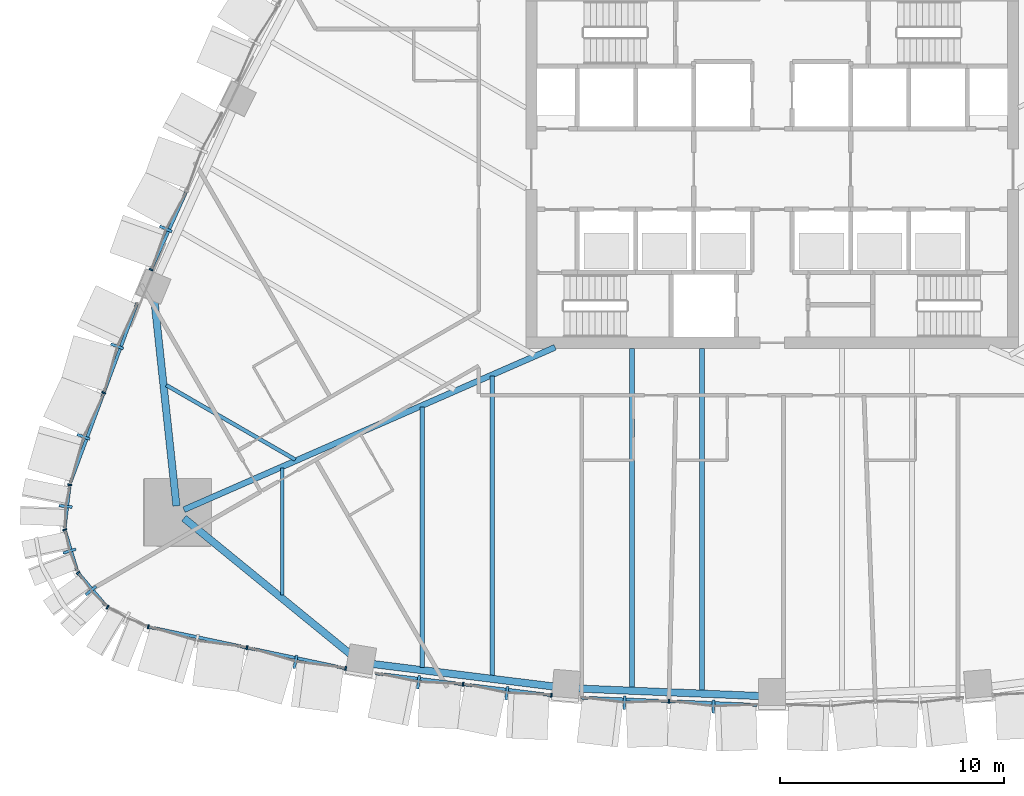
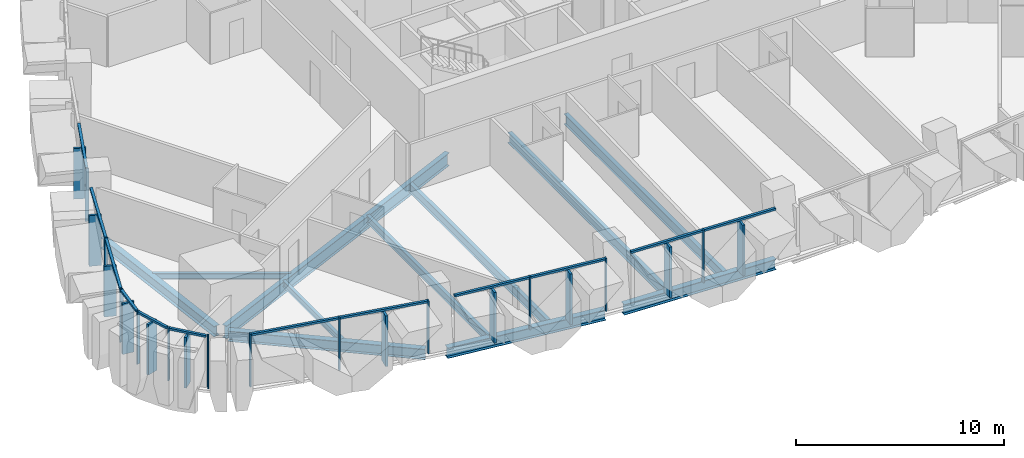
# One storey, part 2 of 23: 35 members, 11 beams, 9 elements without a shape of their own.
"""IFC4 building model written with IfcOpenShell, lengths in metres."""

from ifc_helpers import new_model, si_unit, direction, frame, origin, origin_2d, place, context, subcontext, project, spatial, rectangle, i_section, extrude, material, layer, layer_set, material_profile, profile_set, type_object, element, aggregate, save


model = new_model("IFC4")

# Units and contexts
model_context = context("Model", 3, precision=1e-05, world=origin(), true_north=direction((0.0, 1.0)))
body_context = subcontext(model_context, "Body", "Model", "MODEL_VIEW")
ifc_project = project(units=[si_unit("LENGTHUNIT", "METRE"), si_unit("AREAUNIT", "SQUARE_METRE"), si_unit("VOLUMEUNIT", "CUBIC_METRE"), si_unit("PLANEANGLEUNIT", "RADIAN"), si_unit("MASSUNIT", "GRAM", prefix="KILO")], contexts=[model_context])

# Site, building, storey
site_placement = place(None, origin())
site = spatial("IfcSite", under=ifc_project, at=site_placement, CompositionType="ELEMENT")
building_placement = place(site_placement, origin())
building = spatial("IfcBuilding", under=site, at=building_placement, Name="Sierra Prisma Convention Tower", CompositionType="ELEMENT")
storey_placement = place(building_placement, frame((0.0, 0.0, 70.199951171875)))
storey = spatial("IfcBuildingStorey", under=building, at=storey_placement, Name="L13", CompositionType="ELEMENT", Elevation=70.199951171875)

# Curtain wall, member
ifc_material_1 = material(Name="Aluminium and glass curtain wall", Category="aluminium")
ifc_layer = layer(ifc_material_1, 0.179931640625)
ifc_layer_set = layer_set([ifc_layer], Name="CW-2 Faceted crystal curtain wall")
curtain_wall_type = type_object("IfcCurtainWallType", Name="CW-2 Faceted crystal curtain wall", PredefinedType="NOTDEFINED", material=ifc_layer_set)
curtain_wall_1_placement = place(storey_placement, origin())
curtain_wall_1 = element("IfcCurtainWall", 1, at=curtain_wall_1_placement, inside=storey, type_object=curtain_wall_type, Name="CW-2 S1 L13", PredefinedType="NOTDEFINED")
ifc_material_2 = material(Name="Aluminium 6063-T6 bronze anodised", Category="aluminium")
ifc_material_profile_1 = material_profile(ifc_material_2, rectangle(XDim=0.1201171875, YDim=0.60009765625, at=origin_2d()), Name="ALU RIDGE BLADE 120x600")
ifc_profile_set_1 = profile_set([ifc_material_profile_1], Name="Aluminium 6063-T6 bronze anodised")
member_type_1 = type_object("IfcMemberType", Name="CW hip bronze", PredefinedType="MULLION", material=ifc_profile_set_1)
member_1_placement = place(storey_placement, frame((-21.281494140625, -21.996826171875, 0.0), z_axis=(0.0, 0.0, 1.0), x_axis=(0.978513494972, -0.20618278337, 0.0)))
member_1 = element("IfcMember", 2, at=member_1_placement, type_object=member_type_1, Name="CW-2 ridge S1.2", PredefinedType="MULLION", context=body_context, shape_type="SweptSolid", body=[
    extrude(rectangle(XDim=0.1201171875, YDim=0.60009765625, at=origin_2d()), origin(), (0.0, 0.0, 1.0), 2.97998046875),
])

# Curtain wall, members
curtain_wall_2_placement = place(storey_placement, origin())
curtain_wall_2 = element("IfcCurtainWall", 3, at=curtain_wall_2_placement, inside=storey, type_object=curtain_wall_type, Name="CW-2 S2 L13", PredefinedType="NOTDEFINED")
member_2_placement = place(storey_placement, frame((-15.7900390625, -22.906005859375, 0.0), z_axis=(0.0, 0.0, 1.0), x_axis=(0.992418741832, -0.122902566531, 0.0)))
member_2 = element("IfcMember", 4, at=member_2_placement, type_object=member_type_1, Name="CW-2 ridge S2.1", PredefinedType="MULLION", context=body_context, shape_type="SweptSolid", body=[
    extrude(rectangle(XDim=0.1201171875, YDim=0.60009765625, at=origin_2d()), origin(), (0.0, 0.0, 1.0), 2.97998046875),
])
member_3_placement = place(storey_placement, frame((-11.845703125, -23.39453125, 0.0), z_axis=(0.0, 0.0, 1.0), x_axis=(0.992418741832, -0.122902566531, 0.0)))
member_3 = element("IfcMember", 5, at=member_3_placement, type_object=member_type_1, Name="CW-2 ridge S2.2", PredefinedType="MULLION", context=body_context, shape_type="SweptSolid", body=[
    extrude(rectangle(XDim=0.1201171875, YDim=0.60009765625, at=origin_2d()), origin(), (0.0, 0.0, 1.0), 2.97998046875),
])

curtain_wall_3_placement = place(storey_placement, origin())
curtain_wall_3 = element("IfcCurtainWall", 6, at=curtain_wall_3_placement, inside=storey, type_object=curtain_wall_type, Name="CW-2 S3 L13", PredefinedType="NOTDEFINED")
member_4_placement = place(storey_placement, frame((-6.59423828125, -23.827392578125, 0.0), z_axis=(0.0, 0.0, 1.0), x_axis=(0.999158035342, -0.041027069244, 0.0)))
member_4 = element("IfcMember", 7, at=member_4_placement, type_object=member_type_1, Name="CW-2 ridge S3.1", PredefinedType="MULLION", context=body_context, shape_type="SweptSolid", body=[
    extrude(rectangle(XDim=0.1201171875, YDim=0.60009765625, at=origin_2d()), origin(), (0.0, 0.0, 1.0), 2.97998046875),
])
member_5_placement = place(storey_placement, frame((-2.625244140625, -23.990478515625, 0.0), z_axis=(0.0, 0.0, 1.0), x_axis=(0.999158035342, -0.041027069244, 0.0)))
member_5 = element("IfcMember", 8, at=member_5_placement, type_object=member_type_1, Name="CW-2 ridge S3.2", PredefinedType="MULLION", context=body_context, shape_type="SweptSolid", body=[
    extrude(rectangle(XDim=0.1201171875, YDim=0.60009765625, at=origin_2d()), origin(), (0.0, 0.0, 1.0), 2.97998046875),
])

# Curtain wall, member
curtain_wall_4_placement = place(storey_placement, origin())
curtain_wall_4 = element("IfcCurtainWall", 9, at=curtain_wall_4_placement, inside=storey, type_object=curtain_wall_type, Name="CW-2 NW5 L13", PredefinedType="NOTDEFINED")
member_6_placement = place(storey_placement, frame((-27.072265625, -2.6669921875, 0.0), z_axis=(0.0, 0.0, 1.0), x_axis=(-0.410184231176, -0.912002684478, 0.0)))
member_6 = element("IfcMember", 10, at=member_6_placement, type_object=member_type_1, Name="CW-2 ridge NW5.2", PredefinedType="MULLION", context=body_context, shape_type="SweptSolid", body=[
    extrude(rectangle(XDim=0.1201171875, YDim=0.60009765625, at=origin_2d()), origin(), (0.0, 0.0, 1.0), 2.97998046875),
])

# Curtain wall, members
curtain_wall_5_placement = place(storey_placement, origin())
curtain_wall_5 = element("IfcCurtainWall", 11, at=curtain_wall_5_placement, inside=storey, type_object=curtain_wall_type, Name="CW-2 NW6 L13", PredefinedType="NOTDEFINED")
member_7_placement = place(storey_placement, frame((-29.24560546875, -7.90869140625, 0.0), z_axis=(0.0, 0.0, 1.0), x_axis=(-0.348650145071, -0.937252941496, 0.0)))
member_7 = element("IfcMember", 12, at=member_7_placement, type_object=member_type_1, Name="CW-2 ridge NW6.1", PredefinedType="MULLION", context=body_context, shape_type="SweptSolid", body=[
    extrude(rectangle(XDim=0.1201171875, YDim=0.60009765625, at=origin_2d()), origin(), (0.0, 0.0, 1.0), 2.97998046875),
])
member_8_placement = place(storey_placement, frame((-30.748779296875, -11.948974609375, 0.0), z_axis=(0.0, 0.0, 1.0), x_axis=(-0.348650145071, -0.937252941496, 0.0)))
member_8 = element("IfcMember", 13, at=member_8_placement, type_object=member_type_1, Name="CW-2 ridge NW6.2", PredefinedType="MULLION", context=body_context, shape_type="SweptSolid", body=[
    extrude(rectangle(XDim=0.1201171875, YDim=0.60009765625, at=origin_2d()), origin(), (0.0, 0.0, 1.0), 2.97998046875),
])

# Curtain wall, member
curtain_wall_6_placement = place(storey_placement, origin())
curtain_wall_6 = element("IfcCurtainWall", 14, at=curtain_wall_6_placement, inside=storey, type_object=curtain_wall_type, Name="CW-2 SW1 L13", PredefinedType="NOTDEFINED")
member_9_placement = place(storey_placement, frame((-31.5478515625, -15.053955078125, 0.0), z_axis=(0.0, 0.0, 1.0), x_axis=(-0.11726348424, -0.993100838417, 0.0)))
member_9 = element("IfcMember", 15, at=member_9_placement, type_object=member_type_1, Name="CW-2 ridge SW1.1", PredefinedType="MULLION", context=body_context, shape_type="SweptSolid", body=[
    extrude(rectangle(XDim=0.1201171875, YDim=0.60009765625, at=origin_2d()), origin(), (0.0, 0.0, 1.0), 2.97998046875),
])

curtain_wall_7_placement = place(storey_placement, origin())
curtain_wall_7 = element("IfcCurtainWall", 16, at=curtain_wall_7_placement, inside=storey, type_object=curtain_wall_type, Name="CW-2 SW2 L13", PredefinedType="NOTDEFINED")
member_10_placement = place(storey_placement, frame((-31.371826171875, -17.052490234375, 0.0), z_axis=(0.0, 0.0, 1.0), x_axis=(0.288953669799, -0.957343082029, 0.0)))
member_10 = element("IfcMember", 17, at=member_10_placement, type_object=member_type_1, Name="CW-2 ridge SW2.1", PredefinedType="MULLION", context=body_context, shape_type="SweptSolid", body=[
    extrude(rectangle(XDim=0.1201171875, YDim=0.60009765625, at=origin_2d()), origin(), (0.0, 0.0, 1.0), 2.97998046875),
])

curtain_wall_8_placement = place(storey_placement, origin())
curtain_wall_8 = element("IfcCurtainWall", 18, at=curtain_wall_8_placement, inside=storey, type_object=curtain_wall_type, Name="CW-2 SW3 L13", PredefinedType="NOTDEFINED")
member_11_placement = place(storey_placement, frame((-30.41259765625, -18.814697265625, 0.0), z_axis=(0.0, 0.0, 1.0), x_axis=(0.647120431061, -0.762387793517, 0.0)))
member_11 = element("IfcMember", 19, at=member_11_placement, type_object=member_type_1, Name="CW-2 ridge SW3.1", PredefinedType="MULLION", context=body_context, shape_type="SweptSolid", body=[
    extrude(rectangle(XDim=0.1201171875, YDim=0.60009765625, at=origin_2d()), origin(), (0.0, 0.0, 1.0), 2.97998046875),
])

# Member
ifc_material_3 = material(Name="Aluminium 6063-T6 bronze anodised", Category="aluminium")
ifc_material_profile_2 = material_profile(ifc_material_3, rectangle(XDim=0.179931640625, YDim=0.070068359375, at=origin_2d()), Name="ALU MULLION 70x180")
ifc_profile_set_2 = profile_set([ifc_material_profile_2], Name="Aluminium 6063-T6 bronze anodised")
member_type_2 = type_object("IfcMemberType", Name="CW mullion bronze", PredefinedType="MULLION", material=ifc_profile_set_2)
member_12_placement = place(storey_placement, frame((-27.85693359375, -20.43310546875, 0.0), z_axis=(0.0, 0.0, 1.0), x_axis=(0.20618278337, 0.978513494972, 0.0)))
member_12 = element("IfcMember", 20, at=member_12_placement, type_object=member_type_2, Name="CW-1 mullion S1.1", PredefinedType="MULLION", context=body_context, shape_type="SweptSolid", body=[
    extrude(rectangle(XDim=0.179931640625, YDim=0.070068359375, at=origin_2d()), origin(), (0.0, 0.0, 1.0), 3.10009765625),
])

member_13_placement = place(storey_placement, frame((-23.449462890625, -21.36181640625, 0.0), z_axis=(0.0, 0.0, 1.0), x_axis=(0.20618278337, 0.978513494972, 0.0)))
member_13 = element("IfcMember", 21, at=member_13_placement, type_object=member_type_2, Name="CW-1 mullion S1.2", PredefinedType="MULLION", context=body_context, shape_type="SweptSolid", body=[
    extrude(rectangle(XDim=0.179931640625, YDim=0.070068359375, at=origin_2d()), origin(), (0.0, 0.0, 1.0), 3.10009765625),
])

member_14_placement = place(storey_placement, frame((-19.041748046875, -22.29052734375, 0.0), z_axis=(0.0, 0.0, 1.0), x_axis=(0.20618278337, 0.978513494972, 0.0)))
member_14 = element("IfcMember", 22, at=member_14_placement, type_object=member_type_2, Name="CW-1 mullion S1.3", PredefinedType="MULLION", context=body_context, shape_type="SweptSolid", body=[
    extrude(rectangle(XDim=0.179931640625, YDim=0.070068359375, at=origin_2d()), origin(), (0.0, 0.0, 1.0), 3.10009765625),
])

member_15_placement = place(storey_placement, frame((-13.799072265625, -22.997802734375, 0.0), z_axis=(0.0, 0.0, 1.0), x_axis=(0.122902566531, 0.992418741832, 0.0)))
member_15 = element("IfcMember", 23, at=member_15_placement, type_object=member_type_2, Name="CW-1 mullion S2.2", PredefinedType="MULLION", context=body_context, shape_type="SweptSolid", body=[
    extrude(rectangle(XDim=0.179931640625, YDim=0.070068359375, at=origin_2d()), origin(), (0.0, 0.0, 1.0), 3.10009765625),
])

member_16_placement = place(storey_placement, frame((-9.854736328125, -23.486328125, 0.0), z_axis=(0.0, 0.0, 1.0), x_axis=(0.122902566531, 0.992418741832, 0.0)))
member_16 = element("IfcMember", 24, at=member_16_placement, type_object=member_type_2, Name="CW-1 mullion S2.3", PredefinedType="MULLION", context=body_context, shape_type="SweptSolid", body=[
    extrude(rectangle(XDim=0.179931640625, YDim=0.070068359375, at=origin_2d()), origin(), (0.0, 0.0, 1.0), 3.10009765625),
])

member_17_placement = place(storey_placement, frame((-4.603515625, -23.755615234375, 0.0), z_axis=(0.0, 0.0, 1.0), x_axis=(0.041027069244, 0.999158035342, 0.0)))
member_17 = element("IfcMember", 25, at=member_17_placement, type_object=member_type_2, Name="CW-1 mullion S3.2", PredefinedType="MULLION", context=body_context, shape_type="SweptSolid", body=[
    extrude(rectangle(XDim=0.179931640625, YDim=0.070068359375, at=origin_2d()), origin(), (0.0, 0.0, 1.0), 3.10009765625),
])

member_18_placement = place(storey_placement, frame((-27.726806640625, -4.485595703125, 0.0), z_axis=(0.0, 0.0, 1.0), x_axis=(0.912002684478, -0.410184231176, 0.0)))
member_18 = element("IfcMember", 26, at=member_18_placement, type_object=member_type_2, Name="CW-1 mullion NW5.3", PredefinedType="MULLION", context=body_context, shape_type="SweptSolid", body=[
    extrude(rectangle(XDim=0.179931640625, YDim=0.070068359375, at=origin_2d()), origin(), (0.0, 0.0, 1.0), 3.10009765625),
])

member_19_placement = place(storey_placement, frame((-29.8408203125, -9.987060546875, 0.0), z_axis=(0.0, 0.0, 1.0), x_axis=(0.937252941496, -0.348650145071, 0.0)))
member_19 = element("IfcMember", 27, at=member_19_placement, type_object=member_type_2, Name="CW-1 mullion NW6.2", PredefinedType="MULLION", context=body_context, shape_type="SweptSolid", body=[
    extrude(rectangle(XDim=0.179931640625, YDim=0.070068359375, at=origin_2d()), origin(), (0.0, 0.0, 1.0), 3.10009765625),
])

member_20_placement = place(storey_placement, frame((-31.360107421875, -14.09521484375, 0.0), z_axis=(0.0, 0.0, 1.0), x_axis=(0.993100838417, -0.11726348424, 0.0)))
member_20 = element("IfcMember", 28, at=member_20_placement, type_object=member_type_2, Name="CW-1 mullion SW1.1", PredefinedType="MULLION", context=body_context, shape_type="SweptSolid", body=[
    extrude(rectangle(XDim=0.179931640625, YDim=0.070068359375, at=origin_2d()), origin(), (0.0, 0.0, 1.0), 3.10009765625),
])

member_21_placement = place(storey_placement, frame((-31.58251953125, -16.098388671875, 0.0), z_axis=(0.0, 0.0, 1.0), x_axis=(0.957343082029, 0.288953669799, 0.0)))
member_21 = element("IfcMember", 29, at=member_21_placement, type_object=member_type_2, Name="CW-1 mullion SW2.1", PredefinedType="MULLION", context=body_context, shape_type="SweptSolid", body=[
    extrude(rectangle(XDim=0.179931640625, YDim=0.070068359375, at=origin_2d()), origin(), (0.0, 0.0, 1.0), 3.10009765625),
])

member_22_placement = place(storey_placement, frame((-30.98681640625, -18.024169921875, 0.0), z_axis=(0.0, 0.0, 1.0), x_axis=(0.762387793517, 0.647120431061, 0.0)))
member_22 = element("IfcMember", 30, at=member_22_placement, type_object=member_type_2, Name="CW-1 mullion SW3.1", PredefinedType="MULLION", context=body_context, shape_type="SweptSolid", body=[
    extrude(rectangle(XDim=0.179931640625, YDim=0.070068359375, at=origin_2d()), origin(), (0.0, 0.0, 1.0), 3.10009765625),
])

# Curtain wall, member
curtain_wall_9_placement = place(storey_placement, origin())
curtain_wall_9 = element("IfcCurtainWall", 31, at=curtain_wall_9_placement, inside=storey, type_object=curtain_wall_type, Name="CW-2 SW4 L13", PredefinedType="NOTDEFINED")
member_23_placement = place(storey_placement, frame((-29.671875, -19.5517578125, 0.0), z_axis=(0.0, 0.0, 1.0), x_axis=(0.440654281471, 0.897676892997, 0.0)))
member_23 = element("IfcMember", 32, at=member_23_placement, type_object=member_type_2, Name="CW-1 mullion SW4.1", PredefinedType="MULLION", context=body_context, shape_type="SweptSolid", body=[
    extrude(rectangle(XDim=0.179931640625, YDim=0.070068359375, at=origin_2d()), origin(), (0.0, 0.0, 1.0), 3.10009765625),
])
aggregate(curtain_wall_9, [member_23])

# Member
ifc_material_4 = material(Name="Aluminium 6063-T6 bronze anodised", Category="aluminium")
ifc_material_profile_3 = material_profile(ifc_material_4, rectangle(XDim=0.139892578125, YDim=0.1201171875, at=origin_2d()), Name="ALU TRANSOM 120x140")
ifc_profile_set_3 = profile_set([ifc_material_profile_3], Name="Aluminium 6063-T6 bronze anodised")
member_type_3 = type_object("IfcMemberType", Name="CW transom bronze", PredefinedType="USERDEFINED", material=ifc_profile_set_3)
member_24_placement = place(storey_placement, frame((-27.82275390625, -20.440185546875, 3.0400390625), z_axis=(0.978512967914, -0.206185284692, 0.0), x_axis=(0.206185284692, 0.978512967914, 0.0)))
member_24 = element("IfcMember", 33, at=member_24_placement, type_object=member_type_3, Name="CW-1 transom S1.1", ObjectType="TRANSOM", PredefinedType="USERDEFINED", context=body_context, shape_type="SweptSolid", body=[
    extrude(rectangle(XDim=0.139892578125, YDim=0.1201171875, at=origin_2d()), origin(), (0.0, 0.0, 1.0), 4.434326171875),
])

member_25_placement = place(storey_placement, frame((-23.4150390625, -21.368896484375, 3.0400390625), z_axis=(0.978512967914, -0.206185284692, 0.0), x_axis=(0.206185284692, 0.978512967914, 0.0)))
member_25 = element("IfcMember", 34, at=member_25_placement, type_object=member_type_3, Name="CW-1 transom S1.2", ObjectType="TRANSOM", PredefinedType="USERDEFINED", context=body_context, shape_type="SweptSolid", body=[
    extrude(rectangle(XDim=0.139892578125, YDim=0.1201171875, at=origin_2d()), origin(), (0.0, 0.0, 1.0), 4.434326171875),
])

aggregate(curtain_wall_1, [member_12, member_13, member_14, member_24, member_25, member_1])

member_26_placement = place(storey_placement, frame((-17.70849609375, -22.513671875, 3.0400390625), z_axis=(0.992422459505, -0.122872543187, 0.0), x_axis=(0.122872543187, 0.992422459505, 0.0)))
member_26 = element("IfcMember", 35, at=member_26_placement, type_object=member_type_3, Name="CW-1 transom S2.1", ObjectType="TRANSOM", PredefinedType="USERDEFINED", context=body_context, shape_type="SweptSolid", body=[
    extrude(rectangle(XDim=0.139892578125, YDim=0.1201171875, at=origin_2d()), origin(), (0.0, 0.0, 1.0), 3.904296875),
])

member_27_placement = place(storey_placement, frame((-13.76416015625, -23.002197265625, 3.0400390625), z_axis=(0.992421515352, -0.122880168725, 0.0), x_axis=(0.122880168725, 0.992421515352, 0.0)))
member_27 = element("IfcMember", 36, at=member_27_placement, type_object=member_type_3, Name="CW-1 transom S2.2", ObjectType="TRANSOM", PredefinedType="USERDEFINED", context=body_context, shape_type="SweptSolid", body=[
    extrude(rectangle(XDim=0.139892578125, YDim=0.1201171875, at=origin_2d()), origin(), (0.0, 0.0, 1.0), 3.904052734375),
])

aggregate(curtain_wall_2, [member_15, member_16, member_26, member_2, member_27, member_3])

member_28_placement = place(storey_placement, frame((-8.537353515625, -23.593994140625, 3.0400390625), z_axis=(0.999157405384, -0.041042408136, 0.0), x_axis=(0.041042408136, 0.999157405384, 0.0)))
member_28 = element("IfcMember", 37, at=member_28_placement, type_object=member_type_3, Name="CW-1 transom S3.1", ObjectType="TRANSOM", PredefinedType="USERDEFINED", context=body_context, shape_type="SweptSolid", body=[
    extrude(rectangle(XDim=0.139892578125, YDim=0.1201171875, at=origin_2d()), origin(), (0.0, 0.0, 1.0), 3.902099609375),
])

member_29_placement = place(storey_placement, frame((-4.568359375, -23.757080078125, 3.0400390625), z_axis=(0.999159969079, -0.040979948638, 0.0), x_axis=(0.040979948638, 0.999159969079, 0.0)))
member_29 = element("IfcMember", 38, at=member_29_placement, type_object=member_type_3, Name="CW-1 transom S3.2", ObjectType="TRANSOM", PredefinedType="USERDEFINED", context=body_context, shape_type="SweptSolid", body=[
    extrude(rectangle(XDim=0.139892578125, YDim=0.1201171875, at=origin_2d()), origin(), (0.0, 0.0, 1.0), 3.902099609375),
])

aggregate(curtain_wall_3, [member_17, member_28, member_4, member_29, member_5])

member_30_placement = place(storey_placement, frame((-26.160400390625, -1.002685546875, 3.0400390625), z_axis=(-0.410217121395, -0.911987890991, 0.0), x_axis=(0.911987890991, -0.410217121395, 0.0)))
member_30 = element("IfcMember", 39, at=member_30_placement, type_object=member_type_3, Name="CW-1 transom NW5.2", ObjectType="TRANSOM", PredefinedType="USERDEFINED", context=body_context, shape_type="SweptSolid", body=[
    extrude(rectangle(XDim=0.139892578125, YDim=0.1201171875, at=origin_2d()), origin(), (0.0, 0.0, 1.0), 3.783935546875),
])

aggregate(curtain_wall_4, [member_18, member_30, member_6])

member_31_placement = place(storey_placement, frame((-28.349853515625, -5.979248046875, 3.0400390625), z_axis=(-0.348680793965, -0.937241539796, 0.0), x_axis=(0.937241539796, -0.348680793965, 0.0)))
member_31 = element("IfcMember", 40, at=member_31_placement, type_object=member_type_3, Name="CW-1 transom NW6.1", ObjectType="TRANSOM", PredefinedType="USERDEFINED", context=body_context, shape_type="SweptSolid", body=[
    extrude(rectangle(XDim=0.139892578125, YDim=0.1201171875, at=origin_2d()), origin(), (0.0, 0.0, 1.0), 4.240966796875),
])

member_32_placement = place(storey_placement, frame((-29.85302734375, -10.019775390625, 3.0400390625), z_axis=(-0.348630224707, -0.937260351461, 0.0), x_axis=(0.937260351461, -0.348630224707, 0.0)))
member_32 = element("IfcMember", 41, at=member_32_placement, type_object=member_type_3, Name="CW-1 transom NW6.2", ObjectType="TRANSOM", PredefinedType="USERDEFINED", context=body_context, shape_type="SweptSolid", body=[
    extrude(rectangle(XDim=0.139892578125, YDim=0.1201171875, at=origin_2d()), origin(), (0.0, 0.0, 1.0), 4.240966796875),
])

aggregate(curtain_wall_5, [member_19, member_31, member_7, member_32, member_8])

member_33_placement = place(storey_placement, frame((-31.3642578125, -14.1298828125, 3.0400390625), z_axis=(-0.117233367809, -0.993104394045, 0.0), x_axis=(0.993104394045, -0.117233367809, 0.0)))
member_33 = element("IfcMember", 42, at=member_33_placement, type_object=member_type_3, Name="CW-1 transom SW1.1", ObjectType="TRANSOM", PredefinedType="USERDEFINED", context=body_context, shape_type="SweptSolid", body=[
    extrude(rectangle(XDim=0.139892578125, YDim=0.1201171875, at=origin_2d()), origin(), (0.0, 0.0, 1.0), 1.87841796875),
])

aggregate(curtain_wall_6, [member_20, member_33, member_9])

member_34_placement = place(storey_placement, frame((-31.572509765625, -16.132080078125, 3.0400390625), z_axis=(0.288921436027, -0.957352810516, 0.0), x_axis=(0.957352810516, 0.288921436027, 0.0)))
member_34 = element("IfcMember", 43, at=member_34_placement, type_object=member_type_3, Name="CW-1 transom SW2.1", ObjectType="TRANSOM", PredefinedType="USERDEFINED", context=body_context, shape_type="SweptSolid", body=[
    extrude(rectangle(XDim=0.139892578125, YDim=0.1201171875, at=origin_2d()), origin(), (0.0, 0.0, 1.0), 1.87841796875),
])

aggregate(curtain_wall_7, [member_21, member_34, member_10])

member_35_placement = place(storey_placement, frame((-30.964111328125, -18.05078125, 3.0400390625), z_axis=(0.647112541311, -0.762394490325, 0.0), x_axis=(0.762394490325, 0.647112541311, 0.0)))
member_35 = element("IfcMember", 44, at=member_35_placement, type_object=member_type_3, Name="CW-1 transom SW3.1", ObjectType="TRANSOM", PredefinedType="USERDEFINED", context=body_context, shape_type="SweptSolid", body=[
    extrude(rectangle(XDim=0.139892578125, YDim=0.1201171875, at=origin_2d()), origin(), (0.0, 0.0, 1.0), 1.87841796875),
])

aggregate(curtain_wall_8, [member_22, member_35, member_11])

# Beams
ifc_material_5 = material(Name="Steel ASTM A992 Gr 50", Category="steel")
ifc_material_profile_4 = material_profile(ifc_material_5, i_section(OverallWidth=0.172119140625, OverallDepth=0.35791015625, WebThickness=0.0078125, FlangeThickness=0.01318359375, at=origin_2d()), Name="W360x57")
ifc_profile_set_4 = profile_set([ifc_material_profile_4], Name="Steel ASTM A992 Gr 50")
beam_type_1 = type_object("IfcBeamType", Name="Floor joist W360x57", PredefinedType="JOIST", material=ifc_profile_set_4)
beam_1_placement = place(storey_placement, frame((-21.875244140625, -19.00537109375, -0.328857421875), z_axis=(0.0, 1.0, 0.0), x_axis=(-1.0, 0.0, 0.0)))
element("IfcBeam", 45, at=beam_1_placement, inside=storey, type_object=beam_type_1, Name="Floor joist L13 S02", PredefinedType="JOIST", context=body_context, shape_type="SweptSolid", body=[
    extrude(i_section(OverallWidth=0.172119140625, OverallDepth=0.35791015625, WebThickness=0.0078125, FlangeThickness=0.01318359375, at=origin_2d()), origin(), (0.0, 0.0, 1.0), 5.662841796875),
])
beam_2_placement = place(storey_placement, frame((-27.05078125, -9.641357421875, -0.328857421875), z_axis=(0.866020043079, -0.5000092849, 0.0), x_axis=(0.5000092849, 0.866020043079, 0.0)))
element("IfcBeam", 46, at=beam_2_placement, inside=storey, type_object=beam_type_1, Name="Floor joist L13 NW16", PredefinedType="JOIST", context=body_context, shape_type="SweptSolid", body=[
    extrude(i_section(OverallWidth=0.172119140625, OverallDepth=0.35791015625, WebThickness=0.0078125, FlangeThickness=0.01318359375, at=origin_2d()), origin(), (0.0, 0.0, 1.0), 6.655517578125),
])
ifc_material_6 = material(Name="Steel ASTM A992 Gr 50", Category="steel")
ifc_material_profile_5 = material_profile(ifc_material_6, i_section(OverallWidth=0.18994140625, OverallDepth=0.45703125, WebThickness=0.009033203125, FlangeThickness=0.014404296875, at=origin_2d()), Name="W460x74")
ifc_profile_set_5 = profile_set([ifc_material_profile_5], Name="Steel ASTM A992 Gr 50")
beam_type_2 = type_object("IfcBeamType", Name="Floor joist W460x74", PredefinedType="JOIST", material=ifc_profile_set_5)
beam_3_placement = place(storey_placement, frame((-15.625244140625, -22.253662109375, -0.37841796875), z_axis=(0.0, 1.0, 0.0), x_axis=(-1.0, 0.0, 0.0)))
element("IfcBeam", 47, at=beam_3_placement, inside=storey, type_object=beam_type_2, Name="Floor joist L13 S04", PredefinedType="JOIST", context=body_context, shape_type="SweptSolid", body=[
    extrude(i_section(OverallWidth=0.18994140625, OverallDepth=0.45703125, WebThickness=0.009033203125, FlangeThickness=0.014404296875, at=origin_2d()), origin(), (0.0, 0.0, 1.0), 11.646484375),
])
ifc_material_7 = material(Name="Steel ASTM A992 Gr 50", Category="steel")
ifc_material_profile_6 = material_profile(ifc_material_7, i_section(OverallWidth=0.208984375, OverallDepth=0.532958984375, WebThickness=0.01025390625, FlangeThickness=0.015625, at=origin_2d()), Name="W530x92")
ifc_profile_set_6 = profile_set([ifc_material_profile_6], Name="Steel ASTM A992 Gr 50")
beam_type_3 = type_object("IfcBeamType", Name="Floor joist W530x92", PredefinedType="JOIST", material=ifc_profile_set_6)
beam_4_placement = place(storey_placement, frame((-12.5, -22.64208984375, -0.41650390625), z_axis=(0.0, 1.0, 0.0), x_axis=(-1.0, 0.0, 0.0)))
element("IfcBeam", 48, at=beam_4_placement, inside=storey, type_object=beam_type_3, Name="Floor joist L13 S05", PredefinedType="JOIST", context=body_context, shape_type="SweptSolid", body=[
    extrude(i_section(OverallWidth=0.208984375, OverallDepth=0.532958984375, WebThickness=0.01025390625, FlangeThickness=0.015625, at=origin_2d()), origin(), (0.0, 0.0, 1.0), 13.402587890625),
])
ifc_material_8 = material(Name="Steel ASTM A992 Gr 50", Category="steel")
ifc_material_profile_7 = material_profile(ifc_material_8, i_section(OverallWidth=0.22802734375, OverallDepth=0.60302734375, WebThickness=0.010498046875, FlangeThickness=0.014892578125, at=origin_2d()), Name="W610x101")
ifc_profile_set_7 = profile_set([ifc_material_profile_7], Name="Steel ASTM A992 Gr 50")
beam_type_4 = type_object("IfcBeamType", Name="Floor joist W610x101", PredefinedType="JOIST", material=ifc_profile_set_7)
beam_5_placement = place(storey_placement, frame((-6.25, -23.17431640625, -0.451416015625), z_axis=(0.0, 1.0, 0.0), x_axis=(-1.0, 0.0, 0.0)))
element("IfcBeam", 49, at=beam_5_placement, inside=storey, type_object=beam_type_4, Name="Floor joist L13 S07", PredefinedType="JOIST", context=body_context, shape_type="SweptSolid", body=[
    extrude(i_section(OverallWidth=0.22802734375, OverallDepth=0.60302734375, WebThickness=0.010498046875, FlangeThickness=0.014892578125, at=origin_2d()), origin(), (0.0, 0.0, 1.0), 15.17431640625),
])
beam_6_placement = place(storey_placement, frame((-3.125, -23.30322265625, -0.451416015625), z_axis=(0.0, 1.0, 0.0), x_axis=(-1.0, 0.0, 0.0)))
element("IfcBeam", 50, at=beam_6_placement, inside=storey, type_object=beam_type_4, Name="Floor joist L13 S08", PredefinedType="JOIST", context=body_context, shape_type="SweptSolid", body=[
    extrude(i_section(OverallWidth=0.22802734375, OverallDepth=0.60302734375, WebThickness=0.010498046875, FlangeThickness=0.014892578125, at=origin_2d()), origin(), (0.0, 0.0, 1.0), 15.30322265625),
])
ifc_material_9 = material(Name="Steel ASTM A992 Gr 50", Category="steel")
ifc_material_profile_8 = material_profile(ifc_material_9, i_section(OverallWidth=0.264892578125, OverallDepth=0.7529296875, WebThickness=0.01318359375, FlangeThickness=0.01708984375, at=origin_2d()), Name="W760x147")
ifc_profile_set_8 = profile_set([ifc_material_profile_8], Name="Steel ASTM A992 Gr 50")
beam_type_5 = type_object("IfcBeamType", Name="Radial girder W760x147", PredefinedType="BEAM", material=ifc_profile_set_8)
beam_7_placement = place(storey_placement, frame((-26.2626953125, -15.20458984375, -0.5263671875), z_axis=(0.916112416701, 0.400921488531, 0.0), x_axis=(-0.400921488531, 0.916112416701, 0.0)))
element("IfcBeam", 51, at=beam_7_placement, inside=storey, type_object=beam_type_5, Name="Radial girder L13 SW", PredefinedType="BEAM", context=body_context, shape_type="SweptSolid", body=[
    extrude(i_section(OverallWidth=0.264892578125, OverallDepth=0.7529296875, WebThickness=0.01318359375, FlangeThickness=0.01708984375, at=origin_2d()), origin(), (0.0, 0.0, 1.0), 18.090087890625),
])
ifc_material_10 = material(Name="Steel ASTM A992 Gr 50", Category="steel")
ifc_material_profile_9 = material_profile(ifc_material_10, i_section(OverallWidth=0.324951171875, OverallDepth=0.615966796875, WebThickness=0.013916015625, FlangeThickness=0.021484375, at=origin_2d()), Name="W610x174")
ifc_profile_set_9 = profile_set([ifc_material_profile_9], Name="Steel ASTM A992 Gr 50")
beam_type_6 = type_object("IfcBeamType", Name="Spandrel beam W610x174", PredefinedType="BEAM", material=ifc_profile_set_9)
beam_8_placement = place(storey_placement, frame((-26.2626953125, -15.5810546875, -0.4580078125), z_axis=(0.774444632486, -0.632641692599, 0.0), x_axis=(0.632641692599, 0.774444632486, 0.0)))
element("IfcBeam", 52, at=beam_8_placement, inside=storey, type_object=beam_type_6, Name="Spandrel L13-01", PredefinedType="BEAM", context=body_context, shape_type="SweptSolid", body=[
    extrude(i_section(OverallWidth=0.324951171875, OverallDepth=0.615966796875, WebThickness=0.013916015625, FlangeThickness=0.021484375, at=origin_2d()), origin(), (0.0, 0.0, 1.0), 9.61572265625),
])
beam_9_placement = place(storey_placement, frame((-17.896484375, -22.0849609375, -0.4580078125), z_axis=(0.992361157939, -0.123366657625, 0.0), x_axis=(0.123366657625, 0.992361157939, 0.0)))
element("IfcBeam", 53, at=beam_9_placement, inside=storey, type_object=beam_type_6, Name="Spandrel L13-02", PredefinedType="BEAM", context=body_context, shape_type="SweptSolid", body=[
    extrude(i_section(OverallWidth=0.324951171875, OverallDepth=0.615966796875, WebThickness=0.013916015625, FlangeThickness=0.021484375, at=origin_2d()), origin(), (0.0, 0.0, 1.0), 8.276123046875),
])
beam_10_placement = place(storey_placement, frame((-8.726806640625, -23.18505859375, -0.4580078125), z_axis=(0.999151987617, -0.041174089427, 0.0), x_axis=(0.041174089427, 0.999151987617, 0.0)))
element("IfcBeam", 54, at=beam_10_placement, inside=storey, type_object=beam_type_6, Name="Spandrel L13-03", PredefinedType="BEAM", context=body_context, shape_type="SweptSolid", body=[
    extrude(i_section(OverallWidth=0.324951171875, OverallDepth=0.615966796875, WebThickness=0.013916015625, FlangeThickness=0.021484375, at=origin_2d()), origin(), (0.0, 0.0, 1.0), 8.25390625),
])
beam_11_placement = place(storey_placement, frame((-27.584228515625, -5.815185546875, -0.4580078125), z_axis=(0.106674415109, -0.994294005393, 0.0), x_axis=(0.994294005393, 0.106674415109, 0.0)))
element("IfcBeam", 55, at=beam_11_placement, inside=storey, type_object=beam_type_6, Name="Spandrel L13-18", PredefinedType="BEAM", context=body_context, shape_type="SweptSolid", body=[
    extrude(i_section(OverallWidth=0.324951171875, OverallDepth=0.615966796875, WebThickness=0.013916015625, FlangeThickness=0.021484375, at=origin_2d()), origin(), (0.0, 0.0, 1.0), 9.273681640625),
])

save(model, "model.ifc")
